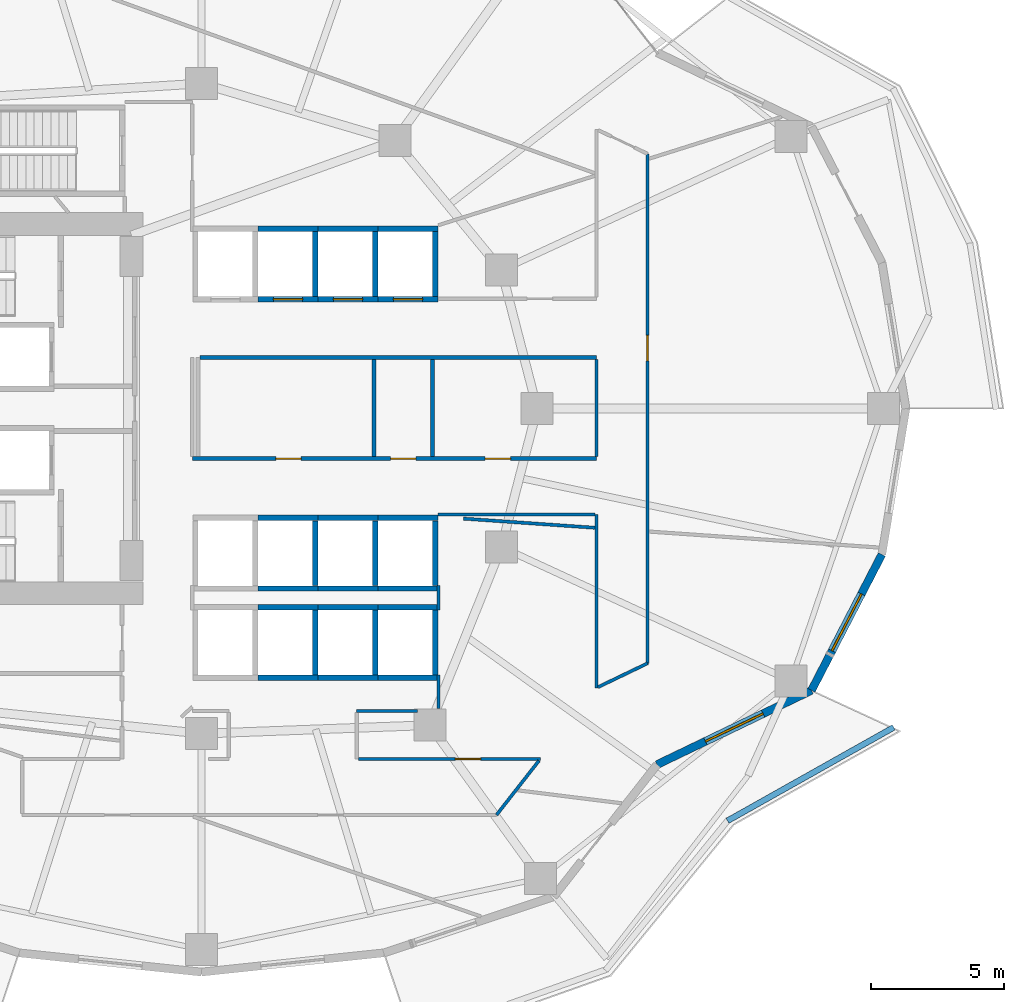
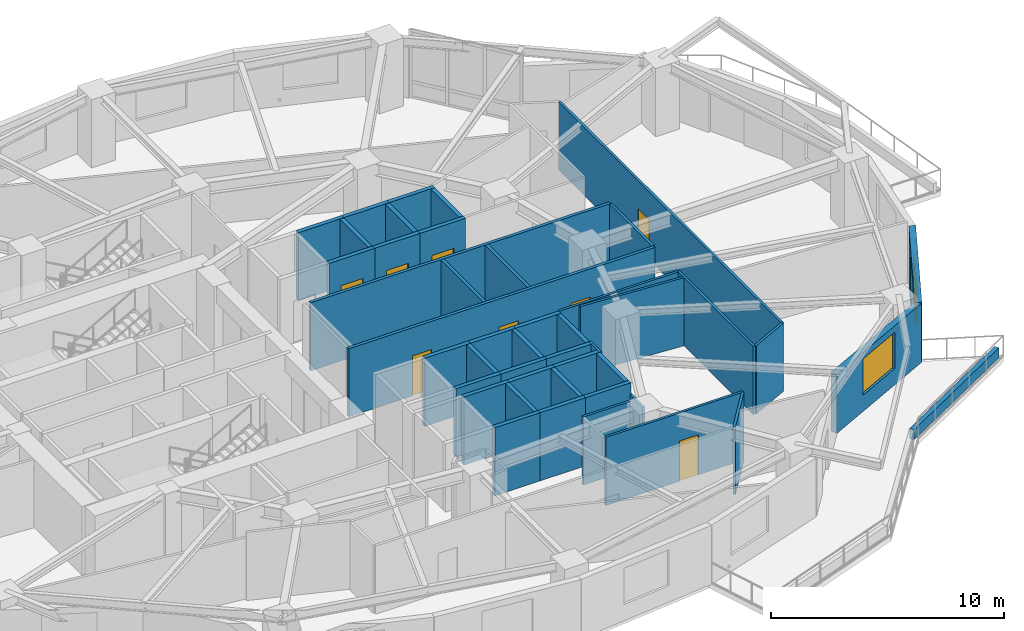
# One storey, part 7 of 12: 45 walls, 8 doors, 2 windows, 10 openings.
"""IFC4 building model written with IfcOpenShell, lengths in metres."""

from ifc_helpers import new_model, si_unit, direction, frame, frame_2d, origin, place, context, subcontext, project, spatial, rectangle, extrude, material, layer, layer_set, type_object, element, fill, save


model = new_model("IFC4")

# Units and contexts
model_context = context("Model", 3, precision=1e-05, world=origin(), true_north=direction((0.0, 1.0)))
body_context = subcontext(model_context, "Body", "Model", "MODEL_VIEW")
ifc_project = project(units=[si_unit("LENGTHUNIT", "METRE"), si_unit("AREAUNIT", "SQUARE_METRE"), si_unit("VOLUMEUNIT", "CUBIC_METRE"), si_unit("PLANEANGLEUNIT", "RADIAN"), si_unit("MASSUNIT", "GRAM", prefix="KILO")], contexts=[model_context])

# Site, building, storey
site_placement = place(None, origin())
site = spatial("IfcSite", under=ifc_project, at=site_placement, CompositionType="ELEMENT")
building_placement = place(site_placement, origin())
building = spatial("IfcBuilding", under=site, at=building_placement, Name="Kolvaren Gate Tower and Convention Centre", CompositionType="ELEMENT")
storey_placement = place(building_placement, frame((0.0, 0.0, 84.25)))
storey = spatial("IfcBuildingStorey", under=building, at=storey_placement, Name="L20", CompositionType="ELEMENT", Elevation=84.25)

# Wall
ifc_material_1 = material(Name="Fire-Rated Acoustic Gypsum Stud Partition", Category="gypsum")
ifc_layer_1 = layer(ifc_material_1, 0.1201171875)
ifc_layer_set_1 = layer_set([ifc_layer_1], Name="Fire-Rated Acoustic Gypsum Stud Partition")
wall_type_1 = type_object("IfcWallType", Name="ARCH-WL-PART-120", PredefinedType="PARTITIONING", material=ifc_layer_set_1)
wall_1_placement = place(storey_placement, frame((35.949951171875, 15.64990234375, 0.0), z_axis=(0.0, 0.0, 1.0), x_axis=(1.0, 0.0, 0.0)))
element("IfcWall", 1, at=wall_1_placement, inside=storey, type_object=wall_type_1, Name="Interior Partition WL-L20-INT-018", PredefinedType="PARTITIONING", context=body_context, shape_type="SweptSolid", body=[
    extrude(rectangle(XDim=2.291015625, YDim=0.1201171875, at=frame_2d((1.1455078125, 0.0))), origin(), (0.0, 0.0, 1.0), 3.570068359375),
])

# Wall, opening, door
wall_2_placement = place(storey_placement, frame((36.011962890625, 13.85009765625, 0.0), z_axis=(0.0, 0.0, 1.0), x_axis=(1.0, 0.0, 0.0)))
wall_2 = element("IfcWall", 2, at=wall_2_placement, inside=storey, type_object=wall_type_1, Name="Interior Partition WL-L20-INT-022", PredefinedType="PARTITIONING", context=body_context, shape_type="SweptSolid", body=[
    extrude(rectangle(XDim=6.830078125, YDim=0.1201171875, at=frame_2d((3.4150390625, 0.0))), origin(), (0.0, 0.0, 1.0), 3.570068359375),
])
opening_1_placement = place(wall_2_placement, frame((3.639892578125, 0.0, 0.0)))
opening_1 = element("IfcOpeningElement", 3, at=opening_1_placement, cuts=wall_2, Name="Opening DR-01", PredefinedType="OPENING", context=body_context, shape_type="SweptSolid", body=[
    extrude(rectangle(XDim=0.949951171875, YDim=2.10009765625, at=frame_2d((0.47509765625, 1.050048828125))), frame((0.0, 0.070068359375, 0.0), z_axis=(0.0, -1.0, 0.0), x_axis=(1.0, 0.0, 0.0)), (0.0, 0.0, 1.0), 0.14013671875),
])
ifc_material_2 = material(Name="Painted Architectural Steelwork ASTM A500 Grade C 345 MPa", Category="steel")
door_type_1 = type_object("IfcDoorType", Name="ARCH-DR-RISER-950", OperationType="SINGLE_SWING_RIGHT", PredefinedType="DOOR", material=ifc_material_2)
door_1_placement = place(opening_1_placement, origin())
door_1 = element("IfcDoor", 4, at=door_1_placement, inside=storey, type_object=door_type_1, Name="Operations Support Staff Centre Door", OperationType="SINGLE_SWING_LEFT", OverallHeight=2.10009765625, OverallWidth=0.949951171875, PredefinedType="DOOR", context=body_context, shape_type="SweptSolid", body=[
    extrude(rectangle(XDim=0.949951171875, YDim=2.10009765625, at=frame_2d((0.47509765625, 1.050048828125))), frame((0.0, 0.02490234375, 0.0), z_axis=(0.0, -1.0, 0.0), x_axis=(1.0, 0.0, 0.0)), (0.0, 0.0, 1.0), 0.050048828125),
])
fill(opening_1, door_1)

# Walls
wall_3_placement = place(storey_placement, frame((41.197998046875, 11.75, 0.0), z_axis=(0.0, 0.0, 1.0), x_axis=(0.616412533256, 0.787423386016, 0.0)))
element("IfcWall", 5, at=wall_3_placement, inside=storey, type_object=wall_type_1, Name="Interior Partition WL-L20-INT-023", PredefinedType="PARTITIONING", context=body_context, shape_type="SweptSolid", body=[
    extrude(rectangle(XDim=2.58837890625, YDim=0.1201171875, at=frame_2d((1.294189453125, 0.0))), origin(), (0.0, 0.0, 1.0), 3.570068359375),
])
wall_4_placement = place(storey_placement, frame((44.949951171875, 16.51904296875, 0.0), z_axis=(0.0, 0.0, 1.0), x_axis=(0.0, 1.0, 0.0)))
element("IfcWall", 6, at=wall_4_placement, inside=storey, type_object=wall_type_1, Name="Interior Partition WL-L20-INT-032", PredefinedType="PARTITIONING", context=body_context, shape_type="SweptSolid", body=[
    extrude(rectangle(XDim=6.5009765625, YDim=0.1201171875, at=frame_2d((3.25048828125, 0.0))), origin(), (0.0, 0.0, 1.0), 3.570068359375),
])
wall_5_placement = place(storey_placement, frame((44.949951171875, 25.197021484375, 0.0), z_axis=(0.0, 0.0, 1.0), x_axis=(0.0, 1.0, 0.0)))
element("IfcWall", 7, at=wall_5_placement, inside=storey, type_object=wall_type_1, Name="Interior Partition WL-L20-INT-033", PredefinedType="PARTITIONING", context=body_context, shape_type="SweptSolid", body=[
    extrude(rectangle(XDim=3.64599609375, YDim=0.1201171875, at=frame_2d((1.822998046875, 0.0))), origin(), (0.0, 0.0, 1.0), 3.570068359375),
])

# Wall, opening, door
wall_6_placement = place(storey_placement, frame((46.8701171875, 17.44189453125, 0.0), z_axis=(0.0, 0.0, 1.0), x_axis=(0.0, 1.0, 0.0)))
wall_6 = element("IfcWall", 8, at=wall_6_placement, inside=storey, type_object=wall_type_1, Name="Interior Partition WL-L20-INT-036", PredefinedType="PARTITIONING", context=body_context, shape_type="SweptSolid", body=[
    extrude(rectangle(XDim=19.1162109375, YDim=0.1201171875, at=frame_2d((9.55810546875, 0.0))), origin(), (0.0, 0.0, 1.0), 3.570068359375),
])
opening_2_placement = place(wall_6_placement, frame((11.352294921875, 0.0, 0.0)))
opening_2 = element("IfcOpeningElement", 9, at=opening_2_placement, cuts=wall_6, Name="Opening DR-01", PredefinedType="OPENING", context=body_context, shape_type="SweptSolid", body=[
    extrude(rectangle(XDim=0.949951171875, YDim=2.10009765625, at=frame_2d((0.47509765625, 1.050048828125))), frame((0.0, 0.070068359375, 0.0), z_axis=(0.0, -1.0, 0.0), x_axis=(1.0, 0.0, 0.0)), (0.0, 0.0, 1.0), 0.14013671875),
])
door_2_placement = place(opening_2_placement, origin())
door_2 = element("IfcDoor", 10, at=door_2_placement, inside=storey, type_object=door_type_1, Name="Operations Support Staff Centre Door", OperationType="SINGLE_SWING_LEFT", OverallHeight=2.10009765625, OverallWidth=0.949951171875, PredefinedType="DOOR", context=body_context, shape_type="SweptSolid", body=[
    extrude(rectangle(XDim=0.949951171875, YDim=2.10009765625, at=frame_2d((0.47509765625, 1.050048828125))), frame((0.0, 0.02490234375, 0.0), z_axis=(0.0, -1.0, 0.0), x_axis=(1.0, 0.0, 0.0)), (0.0, 0.0, 1.0), 0.050048828125),
])
fill(opening_2, door_2)

# Walls
wall_7_placement = place(storey_placement, frame((45.011962890625, 16.548828125, 0.0), z_axis=(0.0, 0.0, 1.0), x_axis=(0.901304887575, 0.433185294803, 0.0)))
element("IfcWall", 11, at=wall_7_placement, inside=storey, type_object=wall_type_1, Name="Interior Partition WL-L20-INT-037", PredefinedType="PARTITIONING", context=body_context, shape_type="SweptSolid", body=[
    extrude(rectangle(XDim=2.0615234375, YDim=0.1201171875, at=frame_2d((1.03076171875, 0.0))), origin(), (0.0, 0.0, 1.0), 3.570068359375),
])
wall_8_placement = place(storey_placement, frame((39.0, 23.02001953125, 0.0), z_axis=(0.0, 0.0, 1.0), x_axis=(1.0, 0.0, 0.0)))
element("IfcWall", 12, at=wall_8_placement, inside=storey, type_object=wall_type_1, Name="Interior Partition WL-L20-INT-038", PredefinedType="PARTITIONING", context=body_context, shape_type="SweptSolid", body=[
    extrude(rectangle(XDim=5.887939453125, YDim=0.1201171875, at=frame_2d((2.94384765625, 0.0))), origin(), (0.0, 0.0, 1.0), 3.570068359375),
])
wall_9_placement = place(storey_placement, frame((39.02001953125, 15.741943359375, 0.0), z_axis=(0.0, 0.0, 1.0), x_axis=(0.0, 1.0, 0.0)))
element("IfcWall", 13, at=wall_9_placement, inside=storey, type_object=wall_type_1, Name="Interior Partition WL-L20-INT-039", PredefinedType="PARTITIONING", context=body_context, shape_type="SweptSolid", body=[
    extrude(rectangle(XDim=1.26806640625, YDim=0.1201171875, at=frame_2d((0.634033203125, 0.0))), origin(), (0.0, 0.0, 1.0), 2.93408203125),
])
wall_10_placement = place(storey_placement, frame((39.02001953125, 19.43994140625, 0.0), z_axis=(0.0, 0.0, 1.0), x_axis=(0.0, 1.0, 0.0)))
element("IfcWall", 14, at=wall_10_placement, inside=storey, type_object=wall_type_1, Name="Interior Partition WL-L20-INT-039 (2)", PredefinedType="PARTITIONING", context=body_context, shape_type="SweptSolid", body=[
    extrude(rectangle(XDim=0.920166015625, YDim=0.1201171875, at=frame_2d((0.4599609375, 0.0))), origin(), (0.0, 0.0, 1.0), 3.570068359375),
])
wall_11_placement = place(storey_placement, frame((39.960693359375, 22.8701171875, 0.0), z_axis=(0.0, 0.0, 1.0), x_axis=(0.99758211908, -0.069497594858, 0.0)))
element("IfcWall", 15, at=wall_11_placement, inside=storey, type_object=wall_type_1, Name="Interior Partition WL-L20-INT-043", PredefinedType="PARTITIONING", context=body_context, shape_type="SweptSolid", body=[
    extrude(rectangle(XDim=4.939208984375, YDim=0.1201171875, at=frame_2d((2.4697265625, 0.0))), origin(), (0.0, 0.0, 1.0), 3.570068359375),
])
ifc_material_3 = material(Name="Piedmont Cream Honed Limestone Cladding", Category="masonry")
ifc_layer_2 = layer(ifc_material_3, 0.219970703125)
ifc_layer_set_2 = layer_set([ifc_layer_2], Name="Piedmont Cream Honed Limestone Cladding")
wall_type_2 = type_object("IfcWallType", Name="ARCH-WL-PLANTER-220", PredefinedType="PARAPET", material=ifc_layer_set_2)
wall_12_placement = place(storey_placement, frame((49.867919921875, 11.530517578125, 0.0), z_axis=(0.0, 0.0, 1.0), x_axis=(0.871775109335, 0.489906275468, 0.0)))
element("IfcWall", 16, at=wall_12_placement, inside=storey, type_object=wall_type_2, Name="Vertical-Forest Balcony Stone Planter Kerb PK-L20-4.3", PredefinedType="PARAPET", context=body_context, shape_type="SweptSolid", body=[
    extrude(rectangle(XDim=7.152099609375, YDim=0.219970703125, at=frame_2d((3.576171875, 0.0))), origin(), (0.0, 0.0, 1.0), 0.52001953125),
])
ifc_material_4 = material(Name="Autoclaved Aerated Masonry Blockwork Class 4 (4.0 MPa)", Category="masonry")
ifc_layer_3 = layer(ifc_material_4, 0.199951171875)
ifc_layer_set_3 = layer_set([ifc_layer_3], Name="Autoclaved Aerated Masonry Blockwork Class 4 (4.0 MPa)")
wall_type_3 = type_object("IfcWallType", Name="ARCH-WL-SHAFT-200", PredefinedType="SOLIDWALL", material=ifc_layer_set_3)
wall_13_placement = place(storey_placement, frame((32.25, 33.75, 0.0), z_axis=(0.0, 0.0, 1.0), x_axis=(1.0, 0.0, 0.0)))
element("IfcWall", 17, at=wall_13_placement, inside=storey, type_object=wall_type_3, Name="Elevator PL-02 L20 Fire Shaft Wall N", PredefinedType="SOLIDWALL", context=body_context, shape_type="SweptSolid", body=[
    extrude(rectangle(XDim=2.25, YDim=0.199951171875, at=frame_2d((1.125, 0.0))), origin(), (0.0, 0.0, 1.0), 3.570068359375),
])

# Wall, opening, door
wall_14_placement = place(storey_placement, frame((32.25, 31.10009765625, 0.0), z_axis=(0.0, 0.0, 1.0), x_axis=(1.0, 0.0, 0.0)))
wall_14 = element("IfcWall", 18, at=wall_14_placement, inside=storey, type_object=wall_type_3, Name="Elevator PL-02 L20 Fire Shaft Wall S", PredefinedType="SOLIDWALL", context=body_context, shape_type="SweptSolid", body=[
    extrude(rectangle(XDim=2.25, YDim=0.199951171875, at=frame_2d((1.125, 0.0))), origin(), (0.0, 0.0, 1.0), 3.570068359375),
])
opening_3_placement = place(wall_14_placement, frame((0.574951171875, 0.0, 0.0)))
opening_3 = element("IfcOpeningElement", 19, at=opening_3_placement, cuts=wall_14, Name="Opening LD", PredefinedType="OPENING", context=body_context, shape_type="SweptSolid", body=[
    extrude(rectangle(XDim=1.10009765625, YDim=2.199951171875, at=frame_2d((0.550048828125, 1.10009765625))), frame((0.0, 0.10986328125, 0.0), z_axis=(0.0, -1.0, 0.0), x_axis=(1.0, 0.0, 0.0)), (0.0, 0.0, 1.0), 0.219970703125),
])
ifc_material_5 = material(Name="Brushed Stainless Steel Grade 316L", Category="steel")
door_type_2 = type_object("IfcDoorType", Name="ARCH-DR-LIFT-1100", OperationType="SLIDING_TO_LEFT", PredefinedType="DOOR", material=ifc_material_5)
door_3_placement = place(opening_3_placement, origin())
door_3 = element("IfcDoor", 20, at=door_3_placement, inside=storey, type_object=door_type_2, Name="Elevator PL-02 L20 Sliding Landing Door", OperationType="SLIDING_TO_LEFT", OverallHeight=2.199951171875, OverallWidth=1.10009765625, PredefinedType="DOOR", context=body_context, shape_type="SweptSolid", body=[
    extrude(rectangle(XDim=1.10009765625, YDim=2.199951171875, at=frame_2d((0.550048828125, 1.10009765625))), frame((0.0, 0.02490234375, 0.0), z_axis=(0.0, -1.0, 0.0), x_axis=(1.0, 0.0, 0.0)), (0.0, 0.0, 1.0), 0.050048828125),
])
fill(opening_3, door_3)

# Walls
wall_15_placement = place(storey_placement, frame((34.39990234375, 31.2099609375, 0.0), z_axis=(0.0, 0.0, 1.0), x_axis=(0.0, 1.0, 0.0)))
element("IfcWall", 21, at=wall_15_placement, inside=storey, type_object=wall_type_3, Name="Elevator PL-02 L20 Fire Shaft Wall E", PredefinedType="SOLIDWALL", context=body_context, shape_type="SweptSolid", body=[
    extrude(rectangle(XDim=2.429931640625, YDim=0.199951171875, at=frame_2d((1.21484375, 0.0))), origin(), (0.0, 0.0, 1.0), 3.570068359375),
])
wall_16_placement = place(storey_placement, frame((34.5, 33.75, 0.0), z_axis=(0.0, 0.0, 1.0), x_axis=(1.0, 0.0, 0.0)))
element("IfcWall", 22, at=wall_16_placement, inside=storey, type_object=wall_type_3, Name="Elevator PL-03 L20 Fire Shaft Wall N", PredefinedType="SOLIDWALL", context=body_context, shape_type="SweptSolid", body=[
    extrude(rectangle(XDim=2.25, YDim=0.199951171875, at=frame_2d((1.125, 0.0))), origin(), (0.0, 0.0, 1.0), 3.570068359375),
])

# Wall, opening, door
wall_17_placement = place(storey_placement, frame((34.5, 31.10009765625, 0.0), z_axis=(0.0, 0.0, 1.0), x_axis=(1.0, 0.0, 0.0)))
wall_17 = element("IfcWall", 23, at=wall_17_placement, inside=storey, type_object=wall_type_3, Name="Elevator PL-03 L20 Fire Shaft Wall S", PredefinedType="SOLIDWALL", context=body_context, shape_type="SweptSolid", body=[
    extrude(rectangle(XDim=2.25, YDim=0.199951171875, at=frame_2d((1.125, 0.0))), origin(), (0.0, 0.0, 1.0), 3.570068359375),
])
opening_4_placement = place(wall_17_placement, frame((0.574951171875, 0.0, 0.0)))
opening_4 = element("IfcOpeningElement", 24, at=opening_4_placement, cuts=wall_17, Name="Opening LD", PredefinedType="OPENING", context=body_context, shape_type="SweptSolid", body=[
    extrude(rectangle(XDim=1.10009765625, YDim=2.199951171875, at=frame_2d((0.550048828125, 1.10009765625))), frame((0.0, 0.10986328125, 0.0), z_axis=(0.0, -1.0, 0.0), x_axis=(1.0, 0.0, 0.0)), (0.0, 0.0, 1.0), 0.219970703125),
])
door_4_placement = place(opening_4_placement, origin())
door_4 = element("IfcDoor", 25, at=door_4_placement, inside=storey, type_object=door_type_2, Name="Elevator PL-03 L20 Sliding Landing Door", OperationType="SLIDING_TO_LEFT", OverallHeight=2.199951171875, OverallWidth=1.10009765625, PredefinedType="DOOR", context=body_context, shape_type="SweptSolid", body=[
    extrude(rectangle(XDim=1.10009765625, YDim=2.199951171875, at=frame_2d((0.550048828125, 1.10009765625))), frame((0.0, 0.02490234375, 0.0), z_axis=(0.0, -1.0, 0.0), x_axis=(1.0, 0.0, 0.0)), (0.0, 0.0, 1.0), 0.050048828125),
])
fill(opening_4, door_4)

# Walls
wall_18_placement = place(storey_placement, frame((36.64990234375, 31.2099609375, 0.0), z_axis=(0.0, 0.0, 1.0), x_axis=(0.0, 1.0, 0.0)))
element("IfcWall", 26, at=wall_18_placement, inside=storey, type_object=wall_type_3, Name="Elevator PL-03 L20 Fire Shaft Wall E", PredefinedType="SOLIDWALL", context=body_context, shape_type="SweptSolid", body=[
    extrude(rectangle(XDim=2.429931640625, YDim=0.199951171875, at=frame_2d((1.21484375, 0.0))), origin(), (0.0, 0.0, 1.0), 3.570068359375),
])
wall_19_placement = place(storey_placement, frame((36.75, 33.75, 0.0), z_axis=(0.0, 0.0, 1.0), x_axis=(1.0, 0.0, 0.0)))
element("IfcWall", 27, at=wall_19_placement, inside=storey, type_object=wall_type_3, Name="Elevator PL-04 L20 Fire Shaft Wall N", PredefinedType="SOLIDWALL", context=body_context, shape_type="SweptSolid", body=[
    extrude(rectangle(XDim=2.25, YDim=0.199951171875, at=frame_2d((1.125, 0.0))), origin(), (0.0, 0.0, 1.0), 3.570068359375),
])

# Wall, opening, door
wall_20_placement = place(storey_placement, frame((36.75, 31.10009765625, 0.0), z_axis=(0.0, 0.0, 1.0), x_axis=(1.0, 0.0, 0.0)))
wall_20 = element("IfcWall", 28, at=wall_20_placement, inside=storey, type_object=wall_type_3, Name="Elevator PL-04 L20 Fire Shaft Wall S", PredefinedType="SOLIDWALL", context=body_context, shape_type="SweptSolid", body=[
    extrude(rectangle(XDim=2.25, YDim=0.199951171875, at=frame_2d((1.125, 0.0))), origin(), (0.0, 0.0, 1.0), 3.570068359375),
])
opening_5_placement = place(wall_20_placement, frame((0.574951171875, 0.0, 0.0)))
opening_5 = element("IfcOpeningElement", 29, at=opening_5_placement, cuts=wall_20, Name="Opening LD", PredefinedType="OPENING", context=body_context, shape_type="SweptSolid", body=[
    extrude(rectangle(XDim=1.10009765625, YDim=2.199951171875, at=frame_2d((0.550048828125, 1.10009765625))), frame((0.0, 0.10986328125, 0.0), z_axis=(0.0, -1.0, 0.0), x_axis=(1.0, 0.0, 0.0)), (0.0, 0.0, 1.0), 0.219970703125),
])
door_5_placement = place(opening_5_placement, origin())
door_5 = element("IfcDoor", 30, at=door_5_placement, inside=storey, type_object=door_type_2, Name="Elevator PL-04 L20 Sliding Landing Door", OperationType="SLIDING_TO_LEFT", OverallHeight=2.199951171875, OverallWidth=1.10009765625, PredefinedType="DOOR", context=body_context, shape_type="SweptSolid", body=[
    extrude(rectangle(XDim=1.10009765625, YDim=2.199951171875, at=frame_2d((0.550048828125, 1.10009765625))), frame((0.0, 0.02490234375, 0.0), z_axis=(0.0, -1.0, 0.0), x_axis=(1.0, 0.0, 0.0)), (0.0, 0.0, 1.0), 0.050048828125),
])
fill(opening_5, door_5)

# Walls
wall_21_placement = place(storey_placement, frame((38.89990234375, 31.2099609375, 0.0), z_axis=(0.0, 0.0, 1.0), x_axis=(0.0, 1.0, 0.0)))
element("IfcWall", 31, at=wall_21_placement, inside=storey, type_object=wall_type_3, Name="Elevator PL-04 L20 Fire Shaft Wall E", PredefinedType="SOLIDWALL", context=body_context, shape_type="SweptSolid", body=[
    extrude(rectangle(XDim=2.429931640625, YDim=0.199951171875, at=frame_2d((1.21484375, 0.0))), origin(), (0.0, 0.0, 1.0), 3.570068359375),
])
for number, where, z_axis, x_axis, name in (
    (32, (32.25, 19.550048828125, 0.0), (0.0, 0.0, 1.0), (1.0, 0.0, 0.0), "Elevator PL-06 L20 Fire Shaft Wall N"),
    (33, (32.25, 16.89990234375, 0.0), (0.0, 0.0, 1.0), (1.0, 0.0, 0.0), "Elevator PL-06 L20 Fire Shaft Wall S"),
):
    element("IfcWall", number, at=place(storey_placement, frame(where, z_axis=z_axis, x_axis=x_axis)), inside=storey, type_object=wall_type_3, Name=name, PredefinedType="SOLIDWALL", context=body_context, shape_type="SweptSolid", body=[
        extrude(rectangle(XDim=2.25, YDim=0.199951171875, at=frame_2d((1.125, 0.0))), origin(), (0.0, 0.0, 1.0), 3.570068359375),
    ])
wall_22_placement = place(storey_placement, frame((34.39990234375, 17.010009765625, 0.0), z_axis=(0.0, 0.0, 1.0), x_axis=(0.0, 1.0, 0.0)))
element("IfcWall", 34, at=wall_22_placement, inside=storey, type_object=wall_type_3, Name="Elevator PL-06 L20 Fire Shaft Wall E", PredefinedType="SOLIDWALL", context=body_context, shape_type="SweptSolid", body=[
    extrude(rectangle(XDim=2.429931640625, YDim=0.199951171875, at=frame_2d((1.21484375, 0.0))), origin(), (0.0, 0.0, 1.0), 3.570068359375),
])
for number, where, z_axis, x_axis, name in (
    (35, (34.5, 19.550048828125, 0.0), (0.0, 0.0, 1.0), (1.0, 0.0, 0.0), "Elevator PL-07 L20 Fire Shaft Wall N"),
    (36, (34.5, 16.89990234375, 0.0), (0.0, 0.0, 1.0), (1.0, 0.0, 0.0), "Elevator PL-07 L20 Fire Shaft Wall S"),
):
    element("IfcWall", number, at=place(storey_placement, frame(where, z_axis=z_axis, x_axis=x_axis)), inside=storey, type_object=wall_type_3, Name=name, PredefinedType="SOLIDWALL", context=body_context, shape_type="SweptSolid", body=[
        extrude(rectangle(XDim=2.25, YDim=0.199951171875, at=frame_2d((1.125, 0.0))), origin(), (0.0, 0.0, 1.0), 3.570068359375),
    ])
wall_23_placement = place(storey_placement, frame((36.64990234375, 17.010009765625, 0.0), z_axis=(0.0, 0.0, 1.0), x_axis=(0.0, 1.0, 0.0)))
element("IfcWall", 37, at=wall_23_placement, inside=storey, type_object=wall_type_3, Name="Elevator PL-07 L20 Fire Shaft Wall E", PredefinedType="SOLIDWALL", context=body_context, shape_type="SweptSolid", body=[
    extrude(rectangle(XDim=2.429931640625, YDim=0.199951171875, at=frame_2d((1.21484375, 0.0))), origin(), (0.0, 0.0, 1.0), 3.570068359375),
])
for number, where, z_axis, x_axis, name in (
    (38, (36.75, 19.550048828125, 0.0), (0.0, 0.0, 1.0), (1.0, 0.0, 0.0), "Elevator PL-08 L20 Fire Shaft Wall N"),
    (39, (36.75, 16.89990234375, 0.0), (0.0, 0.0, 1.0), (1.0, 0.0, 0.0), "Elevator PL-08 L20 Fire Shaft Wall S"),
):
    element("IfcWall", number, at=place(storey_placement, frame(where, z_axis=z_axis, x_axis=x_axis)), inside=storey, type_object=wall_type_3, Name=name, PredefinedType="SOLIDWALL", context=body_context, shape_type="SweptSolid", body=[
        extrude(rectangle(XDim=2.25, YDim=0.199951171875, at=frame_2d((1.125, 0.0))), origin(), (0.0, 0.0, 1.0), 3.570068359375),
    ])
wall_24_placement = place(storey_placement, frame((38.89990234375, 17.010009765625, 0.0), z_axis=(0.0, 0.0, 1.0), x_axis=(0.0, 1.0, 0.0)))
element("IfcWall", 40, at=wall_24_placement, inside=storey, type_object=wall_type_3, Name="Elevator PL-08 L20 Fire Shaft Wall E", PredefinedType="SOLIDWALL", context=body_context, shape_type="SweptSolid", body=[
    extrude(rectangle(XDim=2.429931640625, YDim=0.199951171875, at=frame_2d((1.21484375, 0.0))), origin(), (0.0, 0.0, 1.0), 3.570068359375),
])
for number, where, z_axis, x_axis, name in (
    (41, (32.25, 22.89990234375, 0.0), (0.0, 0.0, 1.0), (1.0, 0.0, 0.0), "Elevator PL-10 L20 Fire Shaft Wall N"),
    (42, (32.25, 20.25, 0.0), (0.0, 0.0, 1.0), (1.0, 0.0, 0.0), "Elevator PL-10 L20 Fire Shaft Wall S"),
):
    element("IfcWall", number, at=place(storey_placement, frame(where, z_axis=z_axis, x_axis=x_axis)), inside=storey, type_object=wall_type_3, Name=name, PredefinedType="SOLIDWALL", context=body_context, shape_type="SweptSolid", body=[
        extrude(rectangle(XDim=2.25, YDim=0.199951171875, at=frame_2d((1.125, 0.0))), origin(), (0.0, 0.0, 1.0), 3.570068359375),
    ])
wall_25_placement = place(storey_placement, frame((34.39990234375, 20.360107421875, 0.0), z_axis=(0.0, 0.0, 1.0), x_axis=(0.0, 1.0, 0.0)))
element("IfcWall", 43, at=wall_25_placement, inside=storey, type_object=wall_type_3, Name="Elevator PL-10 L20 Fire Shaft Wall E", PredefinedType="SOLIDWALL", context=body_context, shape_type="SweptSolid", body=[
    extrude(rectangle(XDim=2.429931640625, YDim=0.199951171875, at=frame_2d((1.21484375, 0.0))), origin(), (0.0, 0.0, 1.0), 3.570068359375),
])
for number, where, z_axis, x_axis, name in (
    (44, (34.5, 22.89990234375, 0.0), (0.0, 0.0, 1.0), (1.0, 0.0, 0.0), "Elevator PL-11 L20 Fire Shaft Wall N"),
    (45, (34.5, 20.25, 0.0), (0.0, 0.0, 1.0), (1.0, 0.0, 0.0), "Elevator PL-11 L20 Fire Shaft Wall S"),
):
    element("IfcWall", number, at=place(storey_placement, frame(where, z_axis=z_axis, x_axis=x_axis)), inside=storey, type_object=wall_type_3, Name=name, PredefinedType="SOLIDWALL", context=body_context, shape_type="SweptSolid", body=[
        extrude(rectangle(XDim=2.25, YDim=0.199951171875, at=frame_2d((1.125, 0.0))), origin(), (0.0, 0.0, 1.0), 3.570068359375),
    ])
wall_26_placement = place(storey_placement, frame((36.64990234375, 20.360107421875, 0.0), z_axis=(0.0, 0.0, 1.0), x_axis=(0.0, 1.0, 0.0)))
element("IfcWall", 46, at=wall_26_placement, inside=storey, type_object=wall_type_3, Name="Elevator PL-11 L20 Fire Shaft Wall E", PredefinedType="SOLIDWALL", context=body_context, shape_type="SweptSolid", body=[
    extrude(rectangle(XDim=2.429931640625, YDim=0.199951171875, at=frame_2d((1.21484375, 0.0))), origin(), (0.0, 0.0, 1.0), 3.570068359375),
])
for number, where, z_axis, x_axis, name in (
    (47, (36.75, 22.89990234375, 0.0), (0.0, 0.0, 1.0), (1.0, 0.0, 0.0), "Elevator PL-12 L20 Fire Shaft Wall N"),
    (48, (36.75, 20.25, 0.0), (0.0, 0.0, 1.0), (1.0, 0.0, 0.0), "Elevator PL-12 L20 Fire Shaft Wall S"),
):
    element("IfcWall", number, at=place(storey_placement, frame(where, z_axis=z_axis, x_axis=x_axis)), inside=storey, type_object=wall_type_3, Name=name, PredefinedType="SOLIDWALL", context=body_context, shape_type="SweptSolid", body=[
        extrude(rectangle(XDim=2.25, YDim=0.199951171875, at=frame_2d((1.125, 0.0))), origin(), (0.0, 0.0, 1.0), 3.570068359375),
    ])
wall_27_placement = place(storey_placement, frame((38.89990234375, 20.360107421875, 0.0), z_axis=(0.0, 0.0, 1.0), x_axis=(0.0, 1.0, 0.0)))
element("IfcWall", 49, at=wall_27_placement, inside=storey, type_object=wall_type_3, Name="Elevator PL-12 L20 Fire Shaft Wall E", PredefinedType="SOLIDWALL", context=body_context, shape_type="SweptSolid", body=[
    extrude(rectangle(XDim=2.429931640625, YDim=0.199951171875, at=frame_2d((1.21484375, 0.0))), origin(), (0.0, 0.0, 1.0), 3.570068359375),
])

# Wall, opening, window
ifc_layer_4 = layer(ifc_material_3, 0.300048828125)
ifc_layer_set_4 = layer_set([ifc_layer_4], Name="Piedmont Cream Honed Limestone Cladding")
wall_type_4 = type_object("IfcWallType", Name="ARCH-WL-STONE-300", PredefinedType="SOLIDWALL", material=ifc_layer_set_4)
wall_28_placement = place(storey_placement, frame((47.223876953125, 13.639892578125, 0.0), z_axis=(0.0, 0.0, 1.0), x_axis=(0.901354747727, 0.433081538224, 0.0)))
wall_28 = element("IfcWall", 50, at=wall_28_placement, inside=storey, type_object=wall_type_4, Name="Tower L20 Honed Stone Spandrel Wall EW-21", PredefinedType="SOLIDWALL", context=body_context, shape_type="SweptSolid", body=[
    extrude(rectangle(XDim=6.430908203125, YDim=0.300048828125, at=frame_2d((3.21533203125, 0.0))), origin(), (0.0, 0.0, 1.0), 3.093017578125),
])
opening_6_placement = place(wall_28_placement, frame((2.014892578125, 0.0, 0.85009765625)))
opening_6 = element("IfcOpeningElement", 51, at=opening_6_placement, cuts=wall_28, Name="Opening W-01", PredefinedType="OPENING", context=body_context, shape_type="SweptSolid", body=[
    extrude(rectangle(XDim=2.39990234375, YDim=1.89990234375, at=frame_2d((1.199951171875, 0.949951171875))), frame((0.0, 0.159912109375, 0.0), z_axis=(0.0, -1.0, 0.0), x_axis=(1.0, 0.0, 0.0)), (0.0, 0.0, 1.0), 0.320068359375),
])
ifc_material_6 = material(Name="Low-E Triple Insulated Glazing Unit 44 mm", Category="glass")
window_type = type_object("IfcWindowType", Name="ARCH-WN-OFF-2400", PartitioningType="SINGLE_PANEL", PredefinedType="WINDOW", material=ifc_material_6)
window_1_placement = place(opening_6_placement, origin())
window_1 = element("IfcWindow", 52, at=window_1_placement, inside=storey, type_object=window_type, Name="Tower L20 Punched Stone Facade Window W-21", OverallHeight=1.89990234375, OverallWidth=2.39990234375, PartitioningType="SINGLE_PANEL", PredefinedType="WINDOW", context=body_context, shape_type="SweptSolid", body=[
    extrude(rectangle(XDim=2.39990234375, YDim=1.89990234375, at=frame_2d((1.199951171875, 0.949951171875))), frame((0.0, 0.030029296875, 0.0), z_axis=(0.0, -1.0, 0.0), x_axis=(1.0, 0.0, 0.0)), (0.0, 0.0, 1.0), 0.06005859375),
])
fill(opening_6, window_1)

wall_29_placement = place(storey_placement, frame((53.0205078125, 16.425048828125, 0.0), z_axis=(0.0, 0.0, 1.0), x_axis=(0.459800981414, 0.888021991558, 0.0)))
wall_29 = element("IfcWall", 53, at=wall_29_placement, inside=storey, type_object=wall_type_4, Name="Tower L20 Honed Stone Spandrel Wall EW-22", PredefinedType="SOLIDWALL", context=body_context, shape_type="SweptSolid", body=[
    extrude(rectangle(XDim=5.744140625, YDim=0.300048828125, at=frame_2d((2.8720703125, 0.0))), origin(), (0.0, 0.0, 1.0), 3.093017578125),
])
opening_7_placement = place(wall_29_placement, frame((1.672119140625, 0.0, 0.85009765625)))
opening_7 = element("IfcOpeningElement", 54, at=opening_7_placement, cuts=wall_29, Name="Opening W-01", PredefinedType="OPENING", context=body_context, shape_type="SweptSolid", body=[
    extrude(rectangle(XDim=2.39990234375, YDim=1.89990234375, at=frame_2d((1.199951171875, 0.949951171875))), frame((0.0, 0.159912109375, 0.0), z_axis=(0.0, -1.0, 0.0), x_axis=(1.0, 0.0, 0.0)), (0.0, 0.0, 1.0), 0.320068359375),
])
window_2_placement = place(opening_7_placement, origin())
window_2 = element("IfcWindow", 55, at=window_2_placement, inside=storey, type_object=window_type, Name="Tower L20 Punched Stone Facade Window W-22", OverallHeight=1.89990234375, OverallWidth=2.39990234375, PartitioningType="SINGLE_PANEL", PredefinedType="WINDOW", context=body_context, shape_type="SweptSolid", body=[
    extrude(rectangle(XDim=2.39990234375, YDim=1.89990234375, at=frame_2d((1.199951171875, 0.949951171875))), frame((0.0, 0.030029296875, 0.0), z_axis=(0.0, -1.0, 0.0), x_axis=(1.0, 0.0, 0.0)), (0.0, 0.0, 1.0), 0.06005859375),
])
fill(opening_7, window_2)

# Wall, openings, doors
ifc_material_7 = material(Name="Moisture-Resistant Cement-Board Acoustic Partition", Category="gypsum")
ifc_layer_5 = layer(ifc_material_7, 0.14990234375)
ifc_layer_set_5 = layer_set([ifc_layer_5], Name="Moisture-Resistant Cement-Board Acoustic Partition")
wall_type_5 = type_object("IfcWallType", Name="ARCH-WL-WET-150", PredefinedType="PARTITIONING", material=ifc_layer_set_5)
wall_30_placement = place(storey_placement, frame((29.780029296875, 25.1201171875, 0.0), z_axis=(0.0, 0.0, 1.0), x_axis=(1.0, 0.0, 0.0)))
wall_30 = element("IfcWall", 56, at=wall_30_placement, inside=storey, type_object=wall_type_5, Name="Interior Partition WL-L20-INT-012", PredefinedType="PARTITIONING", context=body_context, shape_type="SweptSolid", body=[
    extrude(rectangle(XDim=15.169921875, YDim=0.14990234375, at=frame_2d((7.5849609375, 0.0))), origin(), (0.0, 0.0, 1.0), 3.570068359375),
])
opening_8_placement = place(wall_30_placement, frame((3.139892578125, 0.0, 0.0)))
opening_8 = element("IfcOpeningElement", 57, at=opening_8_placement, cuts=wall_30, Name="Opening DR-01", PredefinedType="OPENING", context=body_context, shape_type="SweptSolid", body=[
    extrude(rectangle(XDim=0.949951171875, YDim=2.10009765625, at=frame_2d((0.47509765625, 1.050048828125))), frame((0.0, 0.0849609375, 0.0), z_axis=(0.0, -1.0, 0.0), x_axis=(1.0, 0.0, 0.0)), (0.0, 0.0, 1.0), 0.169921875),
])
opening_9_placement = place(wall_30_placement, frame((7.445068359375, 0.0, 0.0)))
opening_9 = element("IfcOpeningElement", 58, at=opening_9_placement, cuts=wall_30, Name="Opening DR-01", PredefinedType="OPENING", context=body_context, shape_type="SweptSolid", body=[
    extrude(rectangle(XDim=0.949951171875, YDim=2.10009765625, at=frame_2d((0.47509765625, 1.050048828125))), frame((0.0, 0.0849609375, 0.0), z_axis=(0.0, -1.0, 0.0), x_axis=(1.0, 0.0, 0.0)), (0.0, 0.0, 1.0), 0.169921875),
])
opening_10_placement = place(wall_30_placement, frame((10.9951171875, 0.0, 0.0)))
opening_10 = element("IfcOpeningElement", 59, at=opening_10_placement, cuts=wall_30, Name="Opening DR-01", PredefinedType="OPENING", context=body_context, shape_type="SweptSolid", body=[
    extrude(rectangle(XDim=0.949951171875, YDim=2.10009765625, at=frame_2d((0.47509765625, 1.050048828125))), frame((0.0, 0.0849609375, 0.0), z_axis=(0.0, -1.0, 0.0), x_axis=(1.0, 0.0, 0.0)), (0.0, 0.0, 1.0), 0.169921875),
])
door_6_placement = place(opening_8_placement, origin())
door_6 = element("IfcDoor", 60, at=door_6_placement, inside=storey, type_object=door_type_1, Name="Accessible Universal Washroom Door", OperationType="SINGLE_SWING_RIGHT", OverallHeight=2.10009765625, OverallWidth=0.949951171875, PredefinedType="DOOR", context=body_context, shape_type="SweptSolid", body=[
    extrude(rectangle(XDim=0.949951171875, YDim=2.10009765625, at=frame_2d((0.47509765625, 1.050048828125))), frame((0.0, 0.02490234375, 0.0), z_axis=(0.0, -1.0, 0.0), x_axis=(1.0, 0.0, 0.0)), (0.0, 0.0, 1.0), 0.050048828125),
])
fill(opening_8, door_6)
door_7_placement = place(opening_9_placement, origin())
door_7 = element("IfcDoor", 61, at=door_7_placement, inside=storey, type_object=door_type_1, Name="Floor Janitor and Supply Store Door", OperationType="SINGLE_SWING_LEFT", OverallHeight=2.10009765625, OverallWidth=0.949951171875, PredefinedType="DOOR", context=body_context, shape_type="SweptSolid", body=[
    extrude(rectangle(XDim=0.949951171875, YDim=2.10009765625, at=frame_2d((0.47509765625, 1.050048828125))), frame((0.0, 0.02490234375, 0.0), z_axis=(0.0, -1.0, 0.0), x_axis=(1.0, 0.0, 0.0)), (0.0, 0.0, 1.0), 0.050048828125),
])
fill(opening_9, door_7)
door_8_placement = place(opening_10_placement, origin())
door_8 = element("IfcDoor", 62, at=door_8_placement, inside=storey, type_object=door_type_1, Name="Cellular Office Door", OperationType="SINGLE_SWING_RIGHT", OverallHeight=2.10009765625, OverallWidth=0.949951171875, PredefinedType="DOOR", context=body_context, shape_type="SweptSolid", body=[
    extrude(rectangle(XDim=0.949951171875, YDim=2.10009765625, at=frame_2d((0.47509765625, 1.050048828125))), frame((0.0, 0.02490234375, 0.0), z_axis=(0.0, -1.0, 0.0), x_axis=(1.0, 0.0, 0.0)), (0.0, 0.0, 1.0), 0.050048828125),
])
fill(opening_10, door_8)

# Walls
wall_31_placement = place(storey_placement, frame((30.076904296875, 28.919921875, 0.0), z_axis=(0.0, 0.0, 1.0), x_axis=(1.0, 0.0, 0.0)))
element("IfcWall", 63, at=wall_31_placement, inside=storey, type_object=wall_type_5, Name="Interior Partition WL-L20-INT-014", PredefinedType="PARTITIONING", context=body_context, shape_type="SweptSolid", body=[
    extrude(rectangle(XDim=14.873046875, YDim=0.14990234375, at=frame_2d((7.4365234375, 0.0))), origin(), (0.0, 0.0, 1.0), 3.570068359375),
])
for number, where, z_axis, x_axis, name in (
    (64, (36.60009765625, 25.197021484375, 0.0), (0.0, 0.0, 1.0), (0.0, 1.0, 0.0), "Interior Partition WL-L20-INT-015"),
    (65, (38.800048828125, 25.197021484375, 0.0), (0.0, 0.0, 1.0), (0.0, 1.0, 0.0), "Interior Partition WL-L20-INT-016"),
):
    element("IfcWall", number, at=place(storey_placement, frame(where, z_axis=z_axis, x_axis=x_axis)), inside=storey, type_object=wall_type_5, Name=name, PredefinedType="PARTITIONING", context=body_context, shape_type="SweptSolid", body=[
        extrude(rectangle(XDim=3.64599609375, YDim=0.14990234375, at=frame_2d((1.822998046875, 0.0))), origin(), (0.0, 0.0, 1.0), 3.570068359375),
    ])

save(model, "model.ifc")
